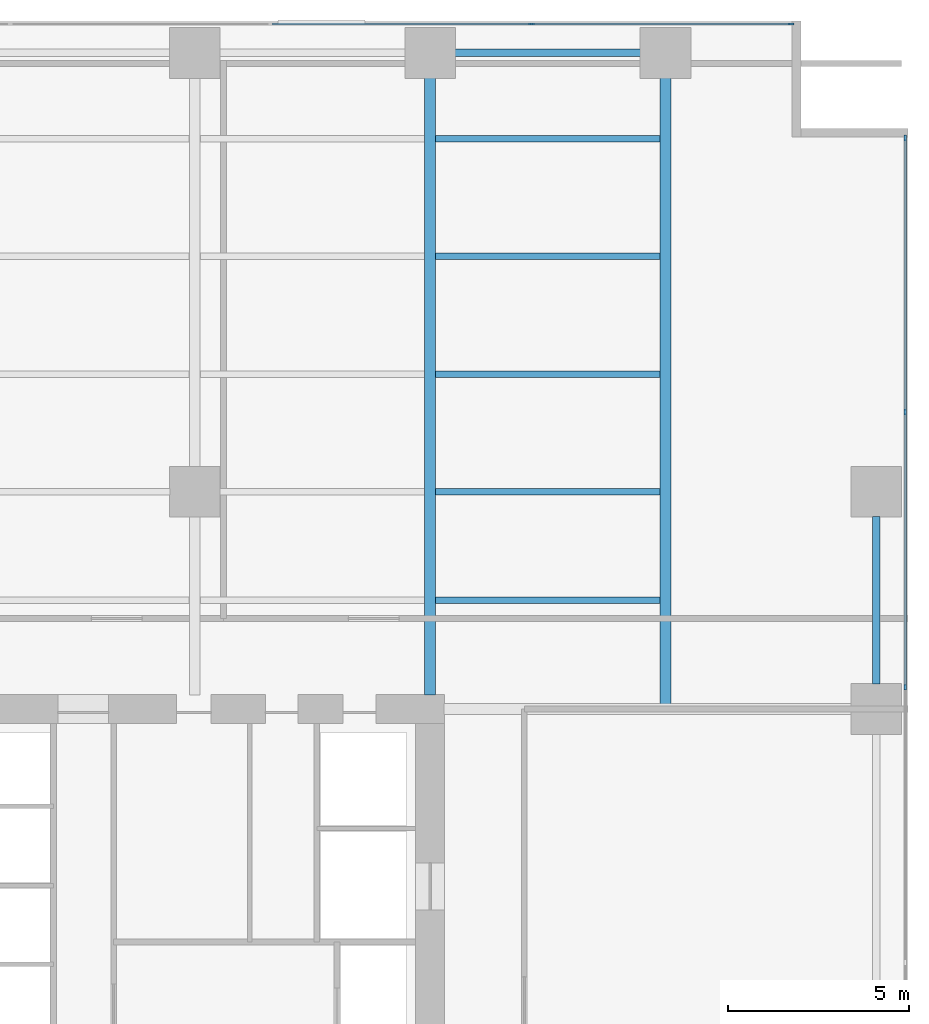
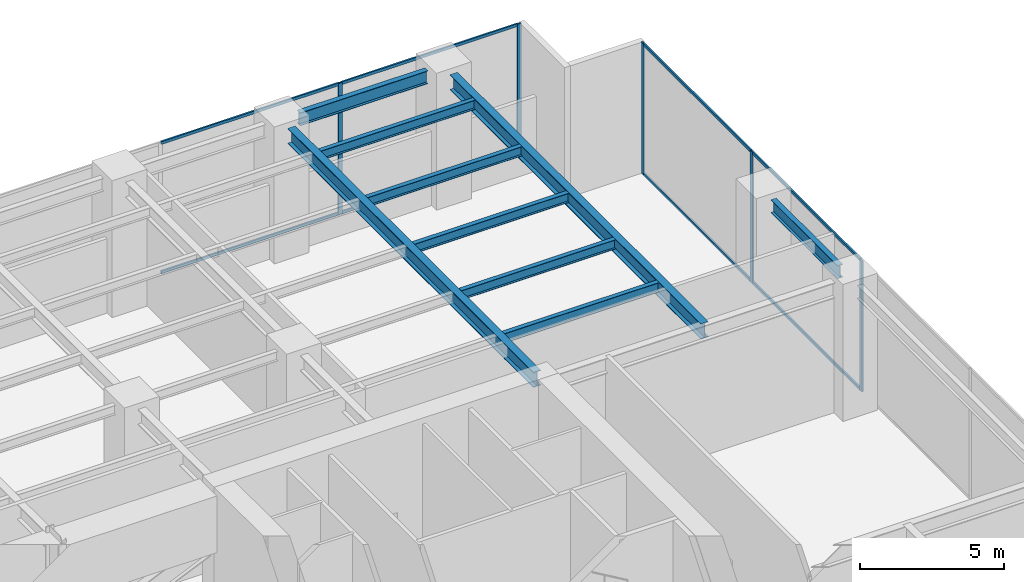
# One storey, part 15 of 25: 13 members, 9 beams, 2 elements without a shape of their own.
"""IFC4 building model written with IfcOpenShell, lengths in metres."""

from ifc_helpers import new_model, si_unit, direction, frame, origin, origin_2d, place, context, subcontext, project, spatial, rectangle, i_section, extrude, material, layer, layer_set, material_profile, profile_set, type_object, element, aggregate, save


model = new_model("IFC4")

# Units and contexts
model_context = context("Model", 3, precision=1e-05, world=origin(), true_north=direction((0.0, 1.0)))
body_context = subcontext(model_context, "Body", "Model", "MODEL_VIEW")
ifc_project = project(units=[si_unit("LENGTHUNIT", "METRE"), si_unit("AREAUNIT", "SQUARE_METRE"), si_unit("VOLUMEUNIT", "CUBIC_METRE"), si_unit("PLANEANGLEUNIT", "RADIAN"), si_unit("MASSUNIT", "GRAM", prefix="KILO")], contexts=[model_context])

# Site, building, storey
site_placement = place(None, origin())
site = spatial("IfcSite", under=ifc_project, at=site_placement, CompositionType="ELEMENT")
building_placement = place(site_placement, origin())
building = spatial("IfcBuilding", under=site, at=building_placement, Name="Putna Gate Headquarters", CompositionType="ELEMENT")
storey_placement = place(building_placement, frame((0.0, 0.0, 22.0)))
storey = spatial("IfcBuildingStorey", under=building, at=storey_placement, Name="L04", CompositionType="ELEMENT", Elevation=22.0)

# Beams
ifc_material_1 = material(Name="Steel S355J2", Category="steel")
ifc_material_profile_1 = material_profile(ifc_material_1, i_section(OverallWidth=0.300048828125, OverallDepth=0.64990234375, WebThickness=0.01611328125, FlangeThickness=0.031005859375, at=origin_2d()), Name="Steel S355J2")
ifc_profile_set_1 = profile_set([ifc_material_profile_1], Name="Steel S355J2")
beam_type_1 = type_object("IfcBeamType", Name="BM-GIRD-Z1-HEB650", PredefinedType="USERDEFINED", material=ifc_profile_set_1)
beam_1_placement = place(storey_placement, frame((65.0, 33.385009765625, 5.22509765625), z_axis=(0.0, 1.0, 0.0), x_axis=(-1.0, 0.0, 0.0)))
element("IfcBeam", 1, at=beam_1_placement, inside=storey, type_object=beam_type_1, Name="L04 North Primary Girder X65", ObjectType="GIRDER", PredefinedType="USERDEFINED", context=body_context, shape_type="SweptSolid", body=[
    extrude(i_section(OverallWidth=0.300048828125, OverallDepth=0.64990234375, WebThickness=0.01611328125, FlangeThickness=0.031005859375, at=origin_2d()), origin(), (0.0, 0.0, 1.0), 17.046875),
])
beam_2_placement = place(storey_placement, frame((71.5, 33.011962890625, 5.22509765625), z_axis=(0.0, 1.0, 0.0), x_axis=(-1.0, 0.0, 0.0)))
element("IfcBeam", 2, at=beam_2_placement, inside=storey, type_object=beam_type_1, Name="L04 North Primary Girder X71", ObjectType="GIRDER", PredefinedType="USERDEFINED", context=body_context, shape_type="SweptSolid", body=[
    extrude(i_section(OverallWidth=0.300048828125, OverallDepth=0.64990234375, WebThickness=0.01611328125, FlangeThickness=0.031005859375, at=origin_2d()), origin(), (0.0, 0.0, 1.0), 17.419921875),
])
ifc_material_profile_2 = material_profile(ifc_material_1, i_section(OverallWidth=0.179931640625, OverallDepth=0.39990234375, WebThickness=0.008544921875, FlangeThickness=0.013427734375, at=origin_2d()), Name="Steel S355J2")
ifc_profile_set_2 = profile_set([ifc_material_profile_2], Name="Steel S355J2")
beam_type_2 = type_object("IfcBeamType", Name="BM-SEC-Z1-IPE400", PredefinedType="BEAM", material=ifc_profile_set_2)
for number, where, z_axis, x_axis, name in (
    (3, (65.154052734375, 36.0, 5.35009765625), (1.0, 0.0, 0.0), (0.0, 1.0, 0.0), "L04 North Secondary Beam 10"),
    (4, (65.154052734375, 39.0, 5.35009765625), (1.0, 0.0, 0.0), (0.0, 1.0, 0.0), "L04 North Secondary Beam 10"),
    (5, (65.154052734375, 42.25, 5.35009765625), (1.0, 0.0, 0.0), (0.0, 1.0, 0.0), "L04 North Secondary Beam 10"),
    (6, (65.154052734375, 45.5, 5.35009765625), (1.0, 0.0, 0.0), (0.0, 1.0, 0.0), "L04 North Secondary Beam 10"),
    (7, (65.154052734375, 48.75, 5.35009765625), (1.0, 0.0, 0.0), (0.0, 1.0, 0.0), "L04 North Secondary Beam 10"),
):
    element("IfcBeam", number, at=place(storey_placement, frame(where, z_axis=z_axis, x_axis=x_axis)), inside=storey, type_object=beam_type_2, Name=name, PredefinedType="BEAM", context=body_context, shape_type="SweptSolid", body=[
        extrude(i_section(OverallWidth=0.179931640625, OverallDepth=0.39990234375, WebThickness=0.008544921875, FlangeThickness=0.013427734375, at=origin_2d()), origin(), (0.0, 0.0, 1.0), 6.19189453125),
    ])
ifc_material_profile_3 = material_profile(ifc_material_1, i_section(OverallWidth=0.2099609375, OverallDepth=0.550048828125, WebThickness=0.010986328125, FlangeThickness=0.01708984375, at=origin_2d()), Name="Steel S355J2")
ifc_profile_set_3 = profile_set([ifc_material_profile_3], Name="Steel S355J2")
beam_type_3 = type_object("IfcBeamType", Name="BM-SPAN-Z1-IPE550", PredefinedType="SPANDREL", material=ifc_profile_set_3)
beam_3_placement = place(storey_placement, frame((65.68798828125, 51.1201171875, 5.27490234375), z_axis=(1.0, 0.0, 0.0), x_axis=(0.0, 1.0, 0.0)))
element("IfcBeam", 8, at=beam_3_placement, inside=storey, type_object=beam_type_3, Name="L04 N Perimeter Spandrel 10", PredefinedType="SPANDREL", context=body_context, shape_type="SweptSolid", body=[
    extrude(i_section(OverallWidth=0.2099609375, OverallDepth=0.550048828125, WebThickness=0.010986328125, FlangeThickness=0.01708984375, at=origin_2d()), origin(), (0.0, 0.0, 1.0), 5.1240234375),
])
beam_4_placement = place(storey_placement, frame((77.320068359375, 33.68798828125, 5.27490234375), z_axis=(0.0, 1.0, 0.0), x_axis=(-1.0, 0.0, 0.0)))
element("IfcBeam", 9, at=beam_4_placement, inside=storey, type_object=beam_type_3, Name="L04 E End Spandrel 3", PredefinedType="SPANDREL", context=body_context, shape_type="SweptSolid", body=[
    extrude(i_section(OverallWidth=0.2099609375, OverallDepth=0.550048828125, WebThickness=0.010986328125, FlangeThickness=0.01708984375, at=origin_2d()), origin(), (0.0, 0.0, 1.0), 4.6240234375),
])

# Curtain wall, members
ifc_material_2 = material(Name="Anodised bronze aluminium curtain wall", Category="aluminium")
ifc_layer = layer(ifc_material_2, 0.159912109375)
ifc_layer_set = layer_set([ifc_layer], Name="Anodised bronze aluminium curtain wall")
curtain_wall_type = type_object("IfcCurtainWallType", Name="CW-SYS-CRN", PredefinedType="USERDEFINED", material=ifc_layer_set)
curtain_wall_1_placement = place(storey_placement, origin())
curtain_wall_1 = element("IfcCurtainWall", 10, at=curtain_wall_1_placement, inside=storey, type_object=curtain_wall_type, Name="L04 Acoustic Louvre North Enclosure", ObjectType="STICK CURTAIN WALL", PredefinedType="USERDEFINED")
ifc_material_3 = material(Name="Anodised bronze aluminium EN AW-6060", Category="aluminium")
ifc_material_profile_4 = material_profile(ifc_material_3, rectangle(XDim=0.06494140625, YDim=0.159912109375, at=origin_2d()), Name="Anodised bronze aluminium EN AW-6060")
ifc_profile_set_4 = profile_set([ifc_material_profile_4], Name="Anodised bronze aluminium EN AW-6060")
member_type_1 = type_object("IfcMemberType", Name="MULL-CWM-CR", PredefinedType="MULLION", material=ifc_profile_set_4)
member_1_placement = place(storey_placement, frame((67.800048828125, 51.919921875, 0.0), z_axis=(0.0, 0.0, 1.0), x_axis=(0.0, 1.0, 0.0)))
member_1 = element("IfcMember", 11, at=member_1_placement, type_object=member_type_1, Name="CWS-CR mullion 10", PredefinedType="MULLION", context=body_context, shape_type="SweptSolid", body=[
    extrude(rectangle(XDim=0.06494140625, YDim=0.159912109375, at=origin_2d()), origin(), (0.0, 0.0, 1.0), 5.550048828125),
])
member_2_placement = place(storey_placement, frame((74.967529296875, 51.919921875, 0.0), z_axis=(0.0, 0.0, 1.0), x_axis=(0.0, 1.0, 0.0)))
member_2 = element("IfcMember", 12, at=member_2_placement, type_object=member_type_1, Name="CWS-CR mullion 11", PredefinedType="MULLION", context=body_context, shape_type="SweptSolid", body=[
    extrude(rectangle(XDim=0.06494140625, YDim=0.159912109375, at=origin_2d()), origin(), (0.0, 0.0, 1.0), 5.550048828125),
])

curtain_wall_2_placement = place(storey_placement, origin())
curtain_wall_2 = element("IfcCurtainWall", 13, at=curtain_wall_2_placement, inside=storey, type_object=curtain_wall_type, Name="L04 Acoustic Louvre East Enclosure", ObjectType="STICK CURTAIN WALL", PredefinedType="USERDEFINED")
member_3_placement = place(storey_placement, frame((78.1201171875, 33.60009765625, 0.0), z_axis=(0.0, 0.0, 1.0), x_axis=(-1.0, 0.0, 0.0)))
member_3 = element("IfcMember", 14, at=member_3_placement, type_object=member_type_1, Name="CWS-CR mullion 5", PredefinedType="MULLION", context=body_context, shape_type="SweptSolid", body=[
    extrude(rectangle(XDim=0.06494140625, YDim=0.159912109375, at=origin_2d()), origin(), (0.0, 0.0, 1.0), 5.550048828125),
])
member_4_placement = place(storey_placement, frame((78.1201171875, 41.199951171875, 0.0), z_axis=(0.0, 0.0, 1.0), x_axis=(-1.0, 0.0, 0.0)))
member_4 = element("IfcMember", 15, at=member_4_placement, type_object=member_type_1, Name="CWS-CR mullion 6", PredefinedType="MULLION", context=body_context, shape_type="SweptSolid", body=[
    extrude(rectangle(XDim=0.06494140625, YDim=0.159912109375, at=origin_2d()), origin(), (0.0, 0.0, 1.0), 5.550048828125),
])
member_5_placement = place(storey_placement, frame((78.1201171875, 48.767578125, 0.0), z_axis=(0.0, 0.0, 1.0), x_axis=(-1.0, 0.0, 0.0)))
member_5 = element("IfcMember", 16, at=member_5_placement, type_object=member_type_1, Name="CWS-CR mullion 7", PredefinedType="MULLION", context=body_context, shape_type="SweptSolid", body=[
    extrude(rectangle(XDim=0.06494140625, YDim=0.159912109375, at=origin_2d()), origin(), (0.0, 0.0, 1.0), 5.550048828125),
])

# Member
ifc_material_profile_5 = material_profile(ifc_material_3, rectangle(XDim=0.06494140625, YDim=0.1201171875, at=origin_2d()), Name="Anodised bronze aluminium EN AW-6060")
ifc_profile_set_5 = profile_set([ifc_material_profile_5], Name="Anodised bronze aluminium EN AW-6060")
member_type_2 = type_object("IfcMemberType", Name="TRAN-CWT-CR", PredefinedType="USERDEFINED", material=ifc_profile_set_5)
member_6_placement = place(storey_placement, frame((60.632568359375, 51.919921875, 0.032470703125), z_axis=(1.0, 0.0, 0.0), x_axis=(0.0, 1.0, 0.0)))
member_6 = element("IfcMember", 17, at=member_6_placement, type_object=member_type_2, Name="CWS-CR transom 9.1", ObjectType="TRANSOM", PredefinedType="USERDEFINED", context=body_context, shape_type="SweptSolid", body=[
    extrude(rectangle(XDim=0.06494140625, YDim=0.1201171875, at=origin_2d()), origin(), (0.0, 0.0, 1.0), 7.135009765625),
])

member_7_placement = place(storey_placement, frame((60.632568359375, 51.919921875, 5.517578125), z_axis=(1.0, 0.0, 0.0), x_axis=(0.0, 1.0, 0.0)))
member_7 = element("IfcMember", 18, at=member_7_placement, type_object=member_type_2, Name="CWS-CR transom 9.2", ObjectType="TRANSOM", PredefinedType="USERDEFINED", context=body_context, shape_type="SweptSolid", body=[
    extrude(rectangle(XDim=0.06494140625, YDim=0.1201171875, at=origin_2d()), origin(), (0.0, 0.0, 1.0), 7.135009765625),
])

member_8_placement = place(storey_placement, frame((67.83251953125, 51.919921875, 0.032470703125), z_axis=(1.0, 0.0, 0.0), x_axis=(0.0, 1.0, 0.0)))
member_8 = element("IfcMember", 19, at=member_8_placement, type_object=member_type_2, Name="CWS-CR transom 10.1", ObjectType="TRANSOM", PredefinedType="USERDEFINED", context=body_context, shape_type="SweptSolid", body=[
    extrude(rectangle(XDim=0.06494140625, YDim=0.1201171875, at=origin_2d()), origin(), (0.0, 0.0, 1.0), 7.1025390625),
])

member_9_placement = place(storey_placement, frame((67.83251953125, 51.919921875, 5.517578125), z_axis=(1.0, 0.0, 0.0), x_axis=(0.0, 1.0, 0.0)))
member_9 = element("IfcMember", 20, at=member_9_placement, type_object=member_type_2, Name="CWS-CR transom 10.2", ObjectType="TRANSOM", PredefinedType="USERDEFINED", context=body_context, shape_type="SweptSolid", body=[
    extrude(rectangle(XDim=0.06494140625, YDim=0.1201171875, at=origin_2d()), origin(), (0.0, 0.0, 1.0), 7.1025390625),
])

aggregate(curtain_wall_1, [member_1, member_2, member_6, member_7, member_8, member_9])

member_10_placement = place(storey_placement, frame((78.1201171875, 33.632568359375, 0.032470703125), z_axis=(0.0, 1.0, 0.0), x_axis=(-1.0, 0.0, 0.0)))
member_10 = element("IfcMember", 21, at=member_10_placement, type_object=member_type_2, Name="CWS-CR transom 5.1", ObjectType="TRANSOM", PredefinedType="USERDEFINED", context=body_context, shape_type="SweptSolid", body=[
    extrude(rectangle(XDim=0.06494140625, YDim=0.1201171875, at=origin_2d()), origin(), (0.0, 0.0, 1.0), 7.534912109375),
])

member_11_placement = place(storey_placement, frame((78.1201171875, 33.632568359375, 5.517578125), z_axis=(0.0, 1.0, 0.0), x_axis=(-1.0, 0.0, 0.0)))
member_11 = element("IfcMember", 22, at=member_11_placement, type_object=member_type_2, Name="CWS-CR transom 5.2", ObjectType="TRANSOM", PredefinedType="USERDEFINED", context=body_context, shape_type="SweptSolid", body=[
    extrude(rectangle(XDim=0.06494140625, YDim=0.1201171875, at=origin_2d()), origin(), (0.0, 0.0, 1.0), 7.534912109375),
])

member_12_placement = place(storey_placement, frame((78.1201171875, 41.232421875, 0.032470703125), z_axis=(0.0, 1.0, 0.0), x_axis=(-1.0, 0.0, 0.0)))
member_12 = element("IfcMember", 23, at=member_12_placement, type_object=member_type_2, Name="CWS-CR transom 6.1", ObjectType="TRANSOM", PredefinedType="USERDEFINED", context=body_context, shape_type="SweptSolid", body=[
    extrude(rectangle(XDim=0.06494140625, YDim=0.1201171875, at=origin_2d()), origin(), (0.0, 0.0, 1.0), 7.502685546875),
])

member_13_placement = place(storey_placement, frame((78.1201171875, 41.232421875, 5.517578125), z_axis=(0.0, 1.0, 0.0), x_axis=(-1.0, 0.0, 0.0)))
member_13 = element("IfcMember", 24, at=member_13_placement, type_object=member_type_2, Name="CWS-CR transom 6.2", ObjectType="TRANSOM", PredefinedType="USERDEFINED", context=body_context, shape_type="SweptSolid", body=[
    extrude(rectangle(XDim=0.06494140625, YDim=0.1201171875, at=origin_2d()), origin(), (0.0, 0.0, 1.0), 7.502685546875),
])

aggregate(curtain_wall_2, [member_3, member_4, member_5, member_10, member_11, member_12, member_13])

save(model, "model.ifc")
